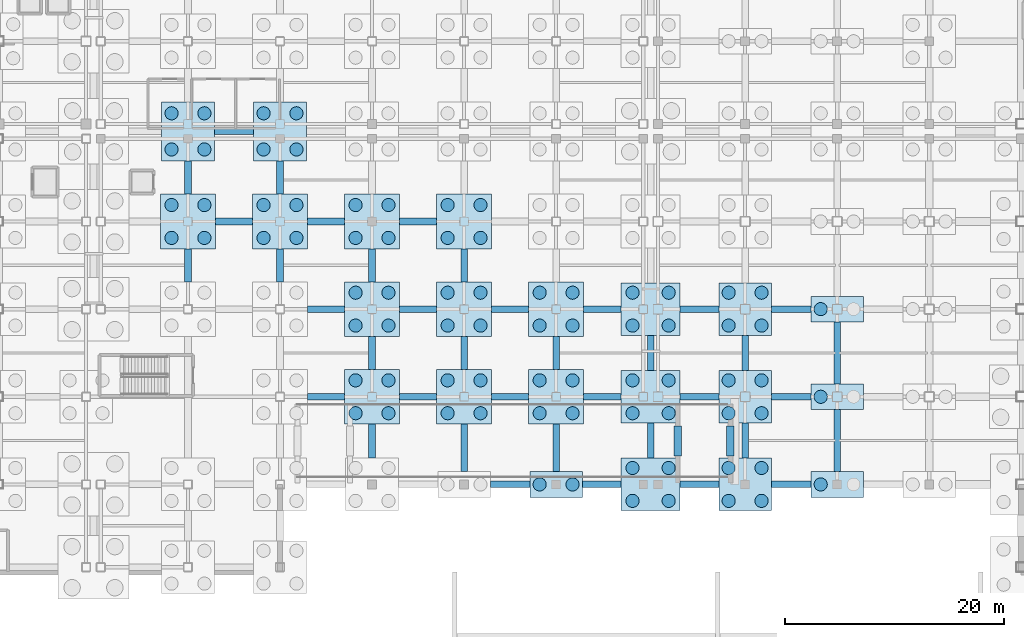
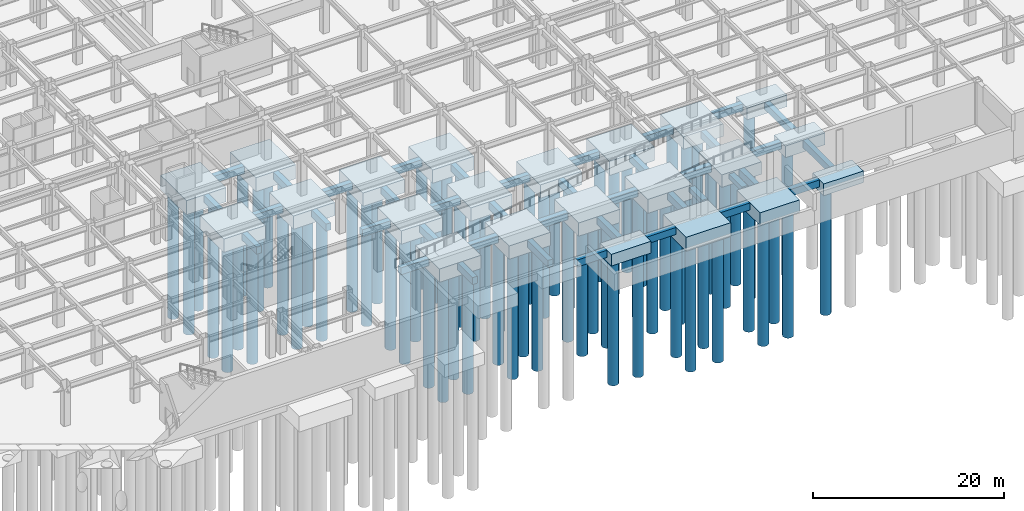
# One storey, part 4 of 55: 77 piles, 62 footings.
"""IFC4 building model written with IfcOpenShell, lengths in metres."""

import ifcopenshell
import ifcopenshell.guid

model = None  # the IFC model being written
_history = None  # IfcOwnerHistory: only IFC2X3 demands one
_inside = {}  # id of a spatial element -> (the spatial element, [elements in it])
_under = {}  # id of a project, library or spatial element -> (it, [spatial elements below it])
_declared = {}  # id of a project -> (the project, [libraries it declares])
_typed = {}  # id of a type object -> (the type object, [elements of that type])
_made_of = {}  # id of a material, layer set ... -> (it, [elements and type objects made of it])


def new_model(schema):
    """Start an empty IFC model of exactly this schema.

    Asked for "IFC4X3", IfcOpenShell would pick the latest addendum, in which some entities
    have other attributes; the version numbers below select the first issue.
    IFC2X3 requires an IfcOwnerHistory on every rooted entity: one is made here for all.
    """
    global model, _history
    if schema == "IFC4X3":
        model = ifcopenshell.file(schema_version=(4, 3, 0, 0))
    else:
        model = ifcopenshell.file(schema=schema)
    _inside.clear()
    _under.clear()
    _declared.clear()
    _typed.clear()
    _made_of.clear()
    _history = None
    if model.schema == "IFC2X3":
        org = make("IfcOrganization", Name="unknown")
        user = make(
            "IfcPersonAndOrganization",
            ThePerson=make("IfcPerson", FamilyName="unknown"),
            TheOrganization=org,
        )
        app = make(
            "IfcApplication",
            ApplicationDeveloper=org,
            Version="unknown",
            ApplicationFullName="unknown",
            ApplicationIdentifier="unknown",
        )
        _history = make(
            "IfcOwnerHistory",
            OwningUser=user,
            OwningApplication=app,
            ChangeAction="ADDED",
            CreationDate=0,
        )
    return model


def make(cls, **values):
    """One entity of the class cls with the attributes given. An attribute that is None is left unset."""
    return model.create_entity(
        cls, **{name: value for name, value in values.items() if value is not None}
    )


def rooted(cls, **values):
    """An entity with a GlobalId (a new one), such as an element, a storey or a relation."""
    return make(cls, GlobalId=ifcopenshell.guid.new(), OwnerHistory=_history, **values)


def si_unit(unit_type, name, prefix=None):
    """IfcSIUnit, for example si_unit("LENGTHUNIT", "METRE", prefix="MILLI")."""
    return make("IfcSIUnit", UnitType=unit_type, Prefix=prefix, Name=name)


def assignment(units):
    """IfcUnitAssignment: the units of a project."""
    return None if units is None else make("IfcUnitAssignment", Units=units)


def point(xyz):
    """IfcCartesianPoint."""
    return None if xyz is None else make("IfcCartesianPoint", Coordinates=xyz)


def direction(xyz):
    """IfcDirection."""
    return None if xyz is None else make("IfcDirection", DirectionRatios=xyz)


def frame(location, z_axis=None, x_axis=None):
    """IfcAxis2Placement3D, a coordinate frame: its origin and axes. An axis left out is left unset."""
    return make(
        "IfcAxis2Placement3D",
        Location=point(location),
        Axis=direction(z_axis),
        RefDirection=direction(x_axis),
    )


def frame_2d(location, x_axis=None):
    """IfcAxis2Placement2D, a coordinate frame in the plane: its origin and x axis."""
    return make(
        "IfcAxis2Placement2D", Location=point(location), RefDirection=direction(x_axis)
    )


def origin():
    """The frame at (0, 0, 0) with its axes left unset."""
    return frame((0.0, 0.0, 0.0))


def origin_2d():
    """The frame at (0, 0) in the plane with its x axis left unset."""
    return frame_2d((0.0, 0.0))


def place(relative_to, where):
    """IfcLocalPlacement: puts the frame where relative to a parent placement (None: the world)."""
    return make(
        "IfcLocalPlacement", PlacementRelTo=relative_to, RelativePlacement=where
    )


def context(
    kind, dimensions, precision=None, world=None, true_north=None, identifier=None
):
    """IfcGeometricRepresentationContext, for example the 3D "Model" context."""
    return make(
        "IfcGeometricRepresentationContext",
        ContextIdentifier=identifier,
        ContextType=kind,
        CoordinateSpaceDimension=dimensions,
        Precision=precision,
        WorldCoordinateSystem=world,
        TrueNorth=true_north,
    )


def subcontext(parent, identifier, kind, view, scale=None):
    """IfcGeometricRepresentationSubContext, for example "Body" below "Model"."""
    return make(
        "IfcGeometricRepresentationSubContext",
        ContextIdentifier=identifier,
        ContextType=kind,
        ParentContext=parent,
        TargetScale=scale,
        TargetView=view,
    )


def project(units=None, contexts=None):
    """IfcProject with its units and contexts."""
    return rooted(
        "IfcProject",
        Name="project",
        RepresentationContexts=contexts,
        UnitsInContext=assignment(units),
    )


def spatial(cls, under=None, at=None, **own):
    """A site, building, storey or space (cls), placed at a placement, below another one or the project."""
    s = rooted(cls, ObjectPlacement=at, **own)
    if under is not None:
        _under.setdefault(under.id(), (under, []))[1].append(s)
    return s


def polyline(points):
    """IfcPolyline through the points."""
    return make("IfcPolyline", Points=[point(p) for p in points])


def profile(cls, at=None, kind="AREA", **sizes):
    """A parametric profile (cls). Its sizes go by their IFC names, for example OverallWidth=200.0."""
    return make(cls, ProfileType=kind, Position=at, **sizes)


def rectangle(**sizes):
    """IfcRectangleProfileDef."""
    return profile("IfcRectangleProfileDef", **sizes)


def circle(**sizes):
    """IfcCircleProfileDef."""
    return profile("IfcCircleProfileDef", **sizes)


def outline(outer, holes=None, kind="AREA"):
    """IfcArbitraryClosedProfileDef: a profile drawn as a closed curve; with holes, ...WithVoids."""
    if holes is None:
        return make("IfcArbitraryClosedProfileDef", ProfileType=kind, OuterCurve=outer)
    return make(
        "IfcArbitraryProfileDefWithVoids",
        ProfileType=kind,
        OuterCurve=outer,
        InnerCurves=holes,
    )


def extrude(swept, where, along, depth):
    """IfcExtrudedAreaSolid: the profile swept, set in the frame where, extruded along a direction by depth."""
    return make(
        "IfcExtrudedAreaSolid",
        SweptArea=swept,
        Position=where,
        ExtrudedDirection=direction(along),
        Depth=depth,
    )


def shape(context_of_items, identifier, shape_type, items):
    """IfcShapeRepresentation: the items that make up one representation, for example the "Body"."""
    return make(
        "IfcShapeRepresentation",
        ContextOfItems=context_of_items,
        RepresentationIdentifier=identifier,
        RepresentationType=shape_type,
        Items=items,
    )


def material(Name=None, Category=None):
    """IfcMaterial."""
    return make("IfcMaterial", Name=Name, Category=Category)


def layer(
    of_material, thickness, ventilated=None, Name=None, Category=None, Priority=None
):
    """IfcMaterialLayer: one layer of a wall or slab, of a material (None: an air gap)."""
    return make(
        "IfcMaterialLayer",
        Material=of_material,
        LayerThickness=thickness,
        IsVentilated=ventilated,
        Name=Name,
        Category=Category,
        Priority=Priority,
    )


def layer_set(layers, Name=None):
    """IfcMaterialLayerSet."""
    return make("IfcMaterialLayerSet", MaterialLayers=layers, LayerSetName=Name)


def material_profile(
    of_material, cross_section, Name=None, Category=None, Priority=None
):
    """IfcMaterialProfile: a cross section and its material."""
    return make(
        "IfcMaterialProfile",
        Name=Name,
        Material=of_material,
        Profile=cross_section,
        Priority=Priority,
        Category=Category,
    )


def profile_set(profiles, Name=None, composite=None):
    """IfcMaterialProfileSet."""
    return make(
        "IfcMaterialProfileSet",
        Name=Name,
        MaterialProfiles=profiles,
        CompositeProfile=composite,
    )


def made_of(thing, what):
    """Note that an element or type object is made of a material, layer set ...; save() writes the relation."""
    if what is not None:
        _made_of.setdefault(what.id(), (what, []))[1].append(thing)
    return thing


def type_object(cls, material=None, **own):
    """A type object (cls), such as IfcWallType, which elements share."""
    return made_of(rooted(cls, **own), material)


def element(
    cls,
    number,
    at=None,
    inside=None,
    cuts=None,
    type_object=None,
    material=None,
    context=None,
    identifier="Body",
    shape_type=None,
    held_by="IfcProductDefinitionShape",
    body=None,
    shapes=None,
    **own,
):
    """One element of the class cls, such as IfcWall. Its Tag is "e" and its number.

    at: its placement. inside: the storey or other place that contains it. cuts: it is an
    opening in that element (IfcRelVoidsElement). A single representation is given by context,
    identifier, shape_type and body (its items); several are given by shapes. held_by: the class
    of the entity that holds the representations. save() writes the other relations.
    """
    e = rooted(cls, Tag="e%d" % number, ObjectPlacement=at, **own)
    if body is not None:
        shapes = [shape(context, identifier, shape_type, body)]
    if shapes is not None:
        e.Representation = make(held_by, Representations=shapes)
    if inside is not None:
        _inside.setdefault(inside.id(), (inside, []))[1].append(e)
    if cuts is not None:
        rooted(
            "IfcRelVoidsElement", RelatingBuildingElement=cuts, RelatedOpeningElement=e
        )
    if type_object is not None:
        _typed.setdefault(type_object.id(), (type_object, []))[1].append(e)
    return made_of(e, material)


def aggregate(whole, parts):
    """IfcRelAggregates: a whole, such as a stair, and the parts it consists of."""
    return rooted("IfcRelAggregates", RelatingObject=whole, RelatedObjects=parts)


def save(model, path):
    """Write the relations noted so far, then the file.

    IfcRelAggregates (storeys below a building ...), IfcRelContainedInSpatialStructure (elements
    in a storey), IfcRelDefinesByType, IfcRelAssociatesMaterial and IfcRelDeclares: one each for
    every whole, place, type object, material and project.
    """
    for whole, parts in _under.values():
        aggregate(whole, parts)
    for where, things in _inside.values():
        rooted(
            "IfcRelContainedInSpatialStructure",
            RelatedElements=things,
            RelatingStructure=where,
        )
    for kind, things in _typed.values():
        rooted("IfcRelDefinesByType", RelatedObjects=things, RelatingType=kind)
    for what, things in _made_of.values():
        rooted("IfcRelAssociatesMaterial", RelatedObjects=things, RelatingMaterial=what)
    for by, libraries in _declared.values():
        rooted("IfcRelDeclares", RelatingContext=by, RelatedDefinitions=libraries)
    model.write(path)


model = new_model("IFC4")

# Units and contexts
model_context = context("Model", 3, precision=1e-05, world=origin(), true_north=direction((0.0, 1.0)))
body_context = subcontext(model_context, "Body", "Model", "MODEL_VIEW")
ifc_project = project(units=[si_unit("LENGTHUNIT", "METRE"), si_unit("AREAUNIT", "SQUARE_METRE"), si_unit("VOLUMEUNIT", "CUBIC_METRE"), si_unit("PLANEANGLEUNIT", "RADIAN"), si_unit("MASSUNIT", "GRAM", prefix="KILO")], contexts=[model_context])

# Site, building, storey
site_placement = place(None, origin())
site = spatial("IfcSite", under=ifc_project, at=site_placement, CompositionType="ELEMENT")
building_placement = place(site_placement, origin())
building = spatial("IfcBuilding", under=site, at=building_placement, Name="Kazehara Bluff Congress Hotel", CompositionType="ELEMENT")
storey_placement = place(building_placement, frame((0.0, 0.0, -5.39990234375)))
storey = spatial("IfcBuildingStorey", under=building, at=storey_placement, Name="B1", CompositionType="ELEMENT", Elevation=-5.39990234375)

# Footings
ifc_material_1 = material(Name="Concrete C36/45", Category="concrete")
ifc_material_profile_1 = material_profile(ifc_material_1, rectangle(XDim=0.60009765625, YDim=0.89990234375, at=origin_2d()))
ifc_profile_set_1 = profile_set([ifc_material_profile_1], Name="Concrete C36/45")
footing_type_1 = type_object("IfcFootingType", Name="TP-FB-01", PredefinedType="FOOTING_BEAM", material=ifc_profile_set_1)
footing_1_placement = place(storey_placement, frame((95.25, 8.0, -0.9501953125), z_axis=(1.0, 0.0, 0.0), x_axis=(0.0, 1.0, 0.0)))
element("IfcFooting", 1, at=footing_1_placement, inside=storey, type_object=footing_type_1, Name="Foundation tie beam FB-01 19", PredefinedType="FOOTING_BEAM", context=body_context, shape_type="SweptSolid", body=[
    extrude(rectangle(XDim=0.60009765625, YDim=0.89990234375, at=origin_2d()), origin(), (0.0, 0.0, 1.0), 3.60009765625),
])
for number, where, z_axis, x_axis, name in (
    (2, (103.64990234375, 8.0, -0.9501953125), (1.0, 0.0, 0.0), (0.0, 1.0, 0.0), "Foundation tie beam FB-01 20"),
    (3, (112.574951171875, 8.0, -0.9501953125), (1.0, 0.0, 0.0), (0.0, 1.0, 0.0), "Foundation tie beam FB-01 21"),
):
    element("IfcFooting", number, at=place(storey_placement, frame(where, z_axis=z_axis, x_axis=x_axis)), inside=storey, type_object=footing_type_1, Name=name, PredefinedType="FOOTING_BEAM", context=body_context, shape_type="SweptSolid", body=[
        extrude(rectangle(XDim=0.60009765625, YDim=0.89990234375, at=origin_2d()), origin(), (0.0, 0.0, 1.0), 3.525146484375),
    ])
footing_2_placement = place(storey_placement, frame((120.89990234375, 8.0, -0.9501953125), z_axis=(1.0, 0.0, 0.0), x_axis=(0.0, 1.0, 0.0)))
element("IfcFooting", 4, at=footing_2_placement, inside=storey, type_object=footing_type_1, Name="Foundation tie beam FB-01 22", PredefinedType="FOOTING_BEAM", context=body_context, shape_type="SweptSolid", body=[
    extrude(rectangle(XDim=0.60009765625, YDim=0.89990234375, at=origin_2d()), origin(), (0.0, 0.0, 1.0), 3.60009765625),
])
footing_3_placement = place(storey_placement, frame((78.550048828125, 16.0, -0.9501953125), z_axis=(1.0, 0.0, 0.0), x_axis=(0.0, 1.0, 0.0)))
element("IfcFooting", 5, at=footing_3_placement, inside=storey, type_object=footing_type_1, Name="Foundation tie beam FB-01 34", PredefinedType="FOOTING_BEAM", context=body_context, shape_type="SweptSolid", body=[
    extrude(rectangle(XDim=0.60009765625, YDim=0.89990234375, at=origin_2d()), origin(), (0.0, 0.0, 1.0), 3.39990234375),
])
footing_4_placement = place(storey_placement, frame((86.949951171875, 16.0, -0.9501953125), z_axis=(1.0, 0.0, 0.0), x_axis=(0.0, 1.0, 0.0)))
element("IfcFooting", 6, at=footing_4_placement, inside=storey, type_object=footing_type_1, Name="Foundation tie beam FB-01 35", PredefinedType="FOOTING_BEAM", context=body_context, shape_type="SweptSolid", body=[
    extrude(rectangle(XDim=0.60009765625, YDim=0.89990234375, at=origin_2d()), origin(), (0.0, 0.0, 1.0), 3.400146484375),
])
footing_5_placement = place(storey_placement, frame((95.35009765625, 16.0, -0.9501953125), z_axis=(1.0, 0.0, 0.0), x_axis=(0.0, 1.0, 0.0)))
element("IfcFooting", 7, at=footing_5_placement, inside=storey, type_object=footing_type_1, Name="Foundation tie beam FB-01 36", PredefinedType="FOOTING_BEAM", context=body_context, shape_type="SweptSolid", body=[
    extrude(rectangle(XDim=0.60009765625, YDim=0.89990234375, at=origin_2d()), origin(), (0.0, 0.0, 1.0), 3.39990234375),
])
footing_6_placement = place(storey_placement, frame((103.75, 16.0, -0.9501953125), z_axis=(1.0, 0.0, 0.0), x_axis=(0.0, 1.0, 0.0)))
element("IfcFooting", 8, at=footing_6_placement, inside=storey, type_object=footing_type_1, Name="Foundation tie beam FB-01 37", PredefinedType="FOOTING_BEAM", context=body_context, shape_type="SweptSolid", body=[
    extrude(rectangle(XDim=0.60009765625, YDim=0.89990234375, at=origin_2d()), origin(), (0.0, 0.0, 1.0), 3.425048828125),
])
footing_7_placement = place(storey_placement, frame((112.574951171875, 16.0, -0.9501953125), z_axis=(1.0, 0.0, 0.0), x_axis=(0.0, 1.0, 0.0)))
element("IfcFooting", 9, at=footing_7_placement, inside=storey, type_object=footing_type_1, Name="Foundation tie beam FB-01 38", PredefinedType="FOOTING_BEAM", context=body_context, shape_type="SweptSolid", body=[
    extrude(rectangle(XDim=0.60009765625, YDim=0.89990234375, at=origin_2d()), origin(), (0.0, 0.0, 1.0), 3.525146484375),
])
footing_8_placement = place(storey_placement, frame((120.89990234375, 16.0, -0.9501953125), z_axis=(1.0, 0.0, 0.0), x_axis=(0.0, 1.0, 0.0)))
element("IfcFooting", 10, at=footing_8_placement, inside=storey, type_object=footing_type_1, Name="Foundation tie beam FB-01 39", PredefinedType="FOOTING_BEAM", context=body_context, shape_type="SweptSolid", body=[
    extrude(rectangle(XDim=0.60009765625, YDim=0.89990234375, at=origin_2d()), origin(), (0.0, 0.0, 1.0), 3.60009765625),
])
footing_9_placement = place(storey_placement, frame((78.550048828125, 24.0, -0.9501953125), z_axis=(1.0, 0.0, 0.0), x_axis=(0.0, 1.0, 0.0)))
element("IfcFooting", 11, at=footing_9_placement, inside=storey, type_object=footing_type_1, Name="Foundation tie beam FB-01 53", PredefinedType="FOOTING_BEAM", context=body_context, shape_type="SweptSolid", body=[
    extrude(rectangle(XDim=0.60009765625, YDim=0.89990234375, at=origin_2d()), origin(), (0.0, 0.0, 1.0), 3.39990234375),
])
footing_10_placement = place(storey_placement, frame((86.949951171875, 24.0, -0.9501953125), z_axis=(1.0, 0.0, 0.0), x_axis=(0.0, 1.0, 0.0)))
element("IfcFooting", 12, at=footing_10_placement, inside=storey, type_object=footing_type_1, Name="Foundation tie beam FB-01 54", PredefinedType="FOOTING_BEAM", context=body_context, shape_type="SweptSolid", body=[
    extrude(rectangle(XDim=0.60009765625, YDim=0.89990234375, at=origin_2d()), origin(), (0.0, 0.0, 1.0), 3.400146484375),
])
footing_11_placement = place(storey_placement, frame((95.35009765625, 24.0, -0.9501953125), z_axis=(1.0, 0.0, 0.0), x_axis=(0.0, 1.0, 0.0)))
element("IfcFooting", 13, at=footing_11_placement, inside=storey, type_object=footing_type_1, Name="Foundation tie beam FB-01 55", PredefinedType="FOOTING_BEAM", context=body_context, shape_type="SweptSolid", body=[
    extrude(rectangle(XDim=0.60009765625, YDim=0.89990234375, at=origin_2d()), origin(), (0.0, 0.0, 1.0), 3.39990234375),
])
footing_12_placement = place(storey_placement, frame((103.75, 24.0, -0.9501953125), z_axis=(1.0, 0.0, 0.0), x_axis=(0.0, 1.0, 0.0)))
element("IfcFooting", 14, at=footing_12_placement, inside=storey, type_object=footing_type_1, Name="Foundation tie beam FB-01 56", PredefinedType="FOOTING_BEAM", context=body_context, shape_type="SweptSolid", body=[
    extrude(rectangle(XDim=0.60009765625, YDim=0.89990234375, at=origin_2d()), origin(), (0.0, 0.0, 1.0), 3.425048828125),
])
footing_13_placement = place(storey_placement, frame((112.574951171875, 24.0, -0.9501953125), z_axis=(1.0, 0.0, 0.0), x_axis=(0.0, 1.0, 0.0)))
element("IfcFooting", 15, at=footing_13_placement, inside=storey, type_object=footing_type_1, Name="Foundation tie beam FB-01 57", PredefinedType="FOOTING_BEAM", context=body_context, shape_type="SweptSolid", body=[
    extrude(rectangle(XDim=0.60009765625, YDim=0.89990234375, at=origin_2d()), origin(), (0.0, 0.0, 1.0), 3.525146484375),
])
footing_14_placement = place(storey_placement, frame((120.89990234375, 24.0, -0.9501953125), z_axis=(1.0, 0.0, 0.0), x_axis=(0.0, 1.0, 0.0)))
element("IfcFooting", 16, at=footing_14_placement, inside=storey, type_object=footing_type_1, Name="Foundation tie beam FB-01 58", PredefinedType="FOOTING_BEAM", context=body_context, shape_type="SweptSolid", body=[
    extrude(rectangle(XDim=0.60009765625, YDim=0.89990234375, at=origin_2d()), origin(), (0.0, 0.0, 1.0), 3.60009765625),
])
footing_15_placement = place(storey_placement, frame((70.14990234375, 32.0, -0.9501953125), z_axis=(1.0, 0.0, 0.0), x_axis=(0.0, 1.0, 0.0)))
element("IfcFooting", 17, at=footing_15_placement, inside=storey, type_object=footing_type_1, Name="Foundation tie beam FB-01 71", PredefinedType="FOOTING_BEAM", context=body_context, shape_type="SweptSolid", body=[
    extrude(rectangle(XDim=0.60009765625, YDim=0.89990234375, at=origin_2d()), origin(), (0.0, 0.0, 1.0), 3.400146484375),
])
footing_16_placement = place(storey_placement, frame((78.550048828125, 32.0, -0.9501953125), z_axis=(1.0, 0.0, 0.0), x_axis=(0.0, 1.0, 0.0)))
element("IfcFooting", 18, at=footing_16_placement, inside=storey, type_object=footing_type_1, Name="Foundation tie beam FB-01 72", PredefinedType="FOOTING_BEAM", context=body_context, shape_type="SweptSolid", body=[
    extrude(rectangle(XDim=0.60009765625, YDim=0.89990234375, at=origin_2d()), origin(), (0.0, 0.0, 1.0), 3.39990234375),
])
footing_17_placement = place(storey_placement, frame((86.949951171875, 32.0, -0.9501953125), z_axis=(1.0, 0.0, 0.0), x_axis=(0.0, 1.0, 0.0)))
element("IfcFooting", 19, at=footing_17_placement, inside=storey, type_object=footing_type_1, Name="Foundation tie beam FB-01 73", PredefinedType="FOOTING_BEAM", context=body_context, shape_type="SweptSolid", body=[
    extrude(rectangle(XDim=0.60009765625, YDim=0.89990234375, at=origin_2d()), origin(), (0.0, 0.0, 1.0), 3.400146484375),
])
footing_18_placement = place(storey_placement, frame((70.050048828125, 40.22509765625, -0.9501953125), z_axis=(1.0, 0.0, 0.0), x_axis=(0.0, 1.0, 0.0)))
element("IfcFooting", 20, at=footing_18_placement, inside=storey, type_object=footing_type_1, Name="Foundation tie beam FB-01 89", PredefinedType="FOOTING_BEAM", context=body_context, shape_type="SweptSolid", body=[
    extrude(rectangle(XDim=0.60009765625, YDim=0.89990234375, at=origin_2d()), origin(), (0.0, 0.0, 1.0), 3.599853515625),
])
footing_19_placement = place(storey_placement, frame((67.64990234375, 26.5, -0.9501953125), z_axis=(0.0, 1.0, 0.0), x_axis=(-1.0, 0.0, 0.0)))
element("IfcFooting", 21, at=footing_19_placement, inside=storey, type_object=footing_type_1, Name="Foundation tie beam FB-01 340", PredefinedType="FOOTING_BEAM", context=body_context, shape_type="SweptSolid", body=[
    extrude(rectangle(XDim=0.60009765625, YDim=0.89990234375, at=origin_2d()), origin(), (0.0, 0.0, 1.0), 3.0),
])
footing_20_placement = place(storey_placement, frame((67.64990234375, 34.5, -0.9501953125), z_axis=(0.0, 1.0, 0.0), x_axis=(-1.0, 0.0, 0.0)))
element("IfcFooting", 22, at=footing_20_placement, inside=storey, type_object=footing_type_1, Name="Foundation tie beam FB-01 341", PredefinedType="FOOTING_BEAM", context=body_context, shape_type="SweptSolid", body=[
    extrude(rectangle(XDim=0.60009765625, YDim=0.89990234375, at=origin_2d()), origin(), (0.0, 0.0, 1.0), 3.02490234375),
])
footing_21_placement = place(storey_placement, frame((76.050048828125, 26.5, -0.9501953125), z_axis=(0.0, 1.0, 0.0), x_axis=(-1.0, 0.0, 0.0)))
element("IfcFooting", 23, at=footing_21_placement, inside=storey, type_object=footing_type_1, Name="Foundation tie beam FB-01 354", PredefinedType="FOOTING_BEAM", context=body_context, shape_type="SweptSolid", body=[
    extrude(rectangle(XDim=0.60009765625, YDim=0.89990234375, at=origin_2d()), origin(), (0.0, 0.0, 1.0), 3.0),
])
footing_22_placement = place(storey_placement, frame((76.050048828125, 34.5, -0.9501953125), z_axis=(0.0, 1.0, 0.0), x_axis=(-1.0, 0.0, 0.0)))
element("IfcFooting", 24, at=footing_22_placement, inside=storey, type_object=footing_type_1, Name="Foundation tie beam FB-01 355", PredefinedType="FOOTING_BEAM", context=body_context, shape_type="SweptSolid", body=[
    extrude(rectangle(XDim=0.60009765625, YDim=0.89990234375, at=origin_2d()), origin(), (0.0, 0.0, 1.0), 3.02490234375),
])
footing_23_placement = place(storey_placement, frame((84.449951171875, 10.39990234375, -0.9501953125), z_axis=(0.0, 1.0, 0.0), x_axis=(-1.0, 0.0, 0.0)))
element("IfcFooting", 25, at=footing_23_placement, inside=storey, type_object=footing_type_1, Name="Foundation tie beam FB-01 365", PredefinedType="FOOTING_BEAM", context=body_context, shape_type="SweptSolid", body=[
    extrude(rectangle(XDim=0.60009765625, YDim=0.89990234375, at=origin_2d()), origin(), (0.0, 0.0, 1.0), 3.10009765625),
])
for number, where, z_axis, x_axis, name in (
    (26, (84.449951171875, 18.5, -0.9501953125), (0.0, 1.0, 0.0), (-1.0, 0.0, 0.0), "Foundation tie beam FB-01 366"),
    (27, (84.449951171875, 26.5, -0.9501953125), (0.0, 1.0, 0.0), (-1.0, 0.0, 0.0), "Foundation tie beam FB-01 367"),
):
    element("IfcFooting", number, at=place(storey_placement, frame(where, z_axis=z_axis, x_axis=x_axis)), inside=storey, type_object=footing_type_1, Name=name, PredefinedType="FOOTING_BEAM", context=body_context, shape_type="SweptSolid", body=[
        extrude(rectangle(XDim=0.60009765625, YDim=0.89990234375, at=origin_2d()), origin(), (0.0, 0.0, 1.0), 3.0),
    ])
footing_24_placement = place(storey_placement, frame((92.85009765625, 9.175048828125, -0.9501953125), z_axis=(0.0, 1.0, 0.0), x_axis=(-1.0, 0.0, 0.0)))
element("IfcFooting", 28, at=footing_24_placement, inside=storey, type_object=footing_type_1, Name="Foundation tie beam FB-01 376", PredefinedType="FOOTING_BEAM", context=body_context, shape_type="SweptSolid", body=[
    extrude(rectangle(XDim=0.60009765625, YDim=0.89990234375, at=origin_2d()), origin(), (0.0, 0.0, 1.0), 4.324951171875),
])
for number, where, z_axis, x_axis, name in (
    (29, (92.85009765625, 18.5, -0.9501953125), (0.0, 1.0, 0.0), (-1.0, 0.0, 0.0), "Foundation tie beam FB-01 377"),
    (30, (92.85009765625, 26.5, -0.9501953125), (0.0, 1.0, 0.0), (-1.0, 0.0, 0.0), "Foundation tie beam FB-01 378"),
):
    element("IfcFooting", number, at=place(storey_placement, frame(where, z_axis=z_axis, x_axis=x_axis)), inside=storey, type_object=footing_type_1, Name=name, PredefinedType="FOOTING_BEAM", context=body_context, shape_type="SweptSolid", body=[
        extrude(rectangle(XDim=0.60009765625, YDim=0.89990234375, at=origin_2d()), origin(), (0.0, 0.0, 1.0), 3.0),
    ])
footing_25_placement = place(storey_placement, frame((101.25, 9.175048828125, -0.9501953125), z_axis=(0.0, 1.0, 0.0), x_axis=(-1.0, 0.0, 0.0)))
element("IfcFooting", 31, at=footing_25_placement, inside=storey, type_object=footing_type_1, Name="Foundation tie beam FB-01 389", PredefinedType="FOOTING_BEAM", context=body_context, shape_type="SweptSolid", body=[
    extrude(rectangle(XDim=0.60009765625, YDim=0.89990234375, at=origin_2d()), origin(), (0.0, 0.0, 1.0), 4.324951171875),
])
footing_26_placement = place(storey_placement, frame((101.25, 18.5, -0.9501953125), z_axis=(0.0, 1.0, 0.0), x_axis=(-1.0, 0.0, 0.0)))
element("IfcFooting", 32, at=footing_26_placement, inside=storey, type_object=footing_type_1, Name="Foundation tie beam FB-01 390", PredefinedType="FOOTING_BEAM", context=body_context, shape_type="SweptSolid", body=[
    extrude(rectangle(XDim=0.60009765625, YDim=0.89990234375, at=origin_2d()), origin(), (0.0, 0.0, 1.0), 3.0),
])
for number, where, z_axis, x_axis, name in (
    (33, (109.875, 10.39990234375, -0.9501953125), (0.0, 1.0, 0.0), (-1.0, 0.0, 0.0), "Foundation tie beam FB-01 403"),
    (34, (109.875, 18.39990234375, -0.9501953125), (0.0, 1.0, 0.0), (-1.0, 0.0, 0.0), "Foundation tie beam FB-01 404"),
    (35, (118.5, 10.39990234375, -0.9501953125), (0.0, 1.0, 0.0), (-1.0, 0.0, 0.0), "Foundation tie beam FB-01 414"),
    (36, (118.5, 18.39990234375, -0.9501953125), (0.0, 1.0, 0.0), (-1.0, 0.0, 0.0), "Foundation tie beam FB-01 415"),
):
    element("IfcFooting", number, at=place(storey_placement, frame(where, z_axis=z_axis, x_axis=x_axis)), inside=storey, type_object=footing_type_1, Name=name, PredefinedType="FOOTING_BEAM", context=body_context, shape_type="SweptSolid", body=[
        extrude(rectangle(XDim=0.60009765625, YDim=0.89990234375, at=origin_2d()), origin(), (0.0, 0.0, 1.0), 3.2001953125),
    ])
for number, where, z_axis, x_axis, name in (
    (37, (126.89990234375, 9.175048828125, -0.9501953125), (0.0, 1.0, 0.0), (-1.0, 0.0, 0.0), "Foundation tie beam FB-01 425"),
    (38, (126.89990234375, 17.175048828125, -0.9501953125), (0.0, 1.0, 0.0), (-1.0, 0.0, 0.0), "Foundation tie beam FB-01 426"),
):
    element("IfcFooting", number, at=place(storey_placement, frame(where, z_axis=z_axis, x_axis=x_axis)), inside=storey, type_object=footing_type_1, Name=name, PredefinedType="FOOTING_BEAM", context=body_context, shape_type="SweptSolid", body=[
        extrude(rectangle(XDim=0.60009765625, YDim=0.89990234375, at=origin_2d()), origin(), (0.0, 0.0, 1.0), 5.64990234375),
    ])
ifc_material_2 = material(Name="Concrete C36/45", Category="concrete")
ifc_layer_1 = layer(ifc_material_2, 1.5)
ifc_layer_set_1 = layer_set([ifc_layer_1], Name="Concrete C36/45")
footing_type_2 = type_object("IfcFootingType", Name="TP-PC-02", PredefinedType="PILE_CAP", material=ifc_layer_set_1)
for number, where, z_axis, x_axis, name in (
    (39, (101.25, 8.0, -2.0), (0.0, 0.0, 1.0), (1.0, 0.0, 0.0), "Pile cap PC-02 171"),
    (40, (126.89990234375, 8.0, -2.0), (0.0, 0.0, 1.0), (1.0, 0.0, 0.0), "Pile cap PC-02 210"),
    (41, (126.89990234375, 16.0, -2.0), (0.0, 0.0, 1.0), (1.0, 0.0, 0.0), "Pile cap PC-02 211"),
    (42, (126.89990234375, 24.0, -2.0), (0.0, 0.0, 1.0), (1.0, 0.0, 0.0), "Pile cap PC-02 212"),
):
    element("IfcFooting", number, at=place(storey_placement, frame(where, z_axis=z_axis, x_axis=x_axis)), inside=storey, type_object=footing_type_2, Name=name, PredefinedType="PILE_CAP", context=body_context, shape_type="SweptSolid", body=[
        extrude(rectangle(XDim=4.800048828125, YDim=2.35009765625, at=origin_2d()), origin(), (0.0, 0.0, 1.0), 1.5),
    ])
ifc_material_3 = material(Name="Concrete C36/45", Category="concrete")
ifc_layer_2 = layer(ifc_material_3, 1.60009765625)
ifc_layer_set_2 = layer_set([ifc_layer_2], Name="Concrete C36/45")
footing_type_3 = type_object("IfcFootingType", Name="TP-PC-04", PredefinedType="PILE_CAP", material=ifc_layer_set_2)
for number, where, z_axis, x_axis, name in (
    (43, (118.5, 8.0, -2.10009765625), (0.0, 0.0, 1.0), (1.0, 0.0, 0.0), "Pile cap PC-04 198"),
    (44, (118.5, 16.0, -2.10009765625), (0.0, 0.0, 1.0), (1.0, 0.0, 0.0), "Pile cap PC-04 199"),
    (45, (118.5, 24.0, -2.10009765625), (0.0, 0.0, 1.0), (1.0, 0.0, 0.0), "Pile cap PC-04 200"),
):
    element("IfcFooting", number, at=place(storey_placement, frame(where, z_axis=z_axis, x_axis=x_axis)), inside=storey, type_object=footing_type_3, Name=name, PredefinedType="PILE_CAP", context=body_context, shape_type="SweptSolid", body=[
        extrude(rectangle(XDim=4.800048828125, YDim=4.800048828125, at=origin_2d()), origin(), (0.0, 0.0, 1.0), 1.60009765625),
    ])
ifc_material_4 = material(Name="Concrete C36/45", Category="concrete")
ifc_layer_3 = layer(ifc_material_4, 1.699951171875)
ifc_layer_set_3 = layer_set([ifc_layer_3], Name="Concrete C36/45")
footing_type_4 = type_object("IfcFootingType", Name="TP-PC-05", PredefinedType="PILE_CAP", material=ifc_layer_set_3)
for number, where, z_axis, x_axis, name in (
    (46, (67.64990234375, 32.0, -2.2001953125), (0.0, 0.0, 1.0), (1.0, 0.0, 0.0), "Pile cap PC-05 118"),
    (47, (76.050048828125, 32.0, -2.2001953125), (0.0, 0.0, 1.0), (1.0, 0.0, 0.0), "Pile cap PC-05 133"),
    (48, (84.449951171875, 16.0, -2.2001953125), (0.0, 0.0, 1.0), (1.0, 0.0, 0.0), "Pile cap PC-05 145"),
    (49, (84.449951171875, 24.0, -2.2001953125), (0.0, 0.0, 1.0), (1.0, 0.0, 0.0), "Pile cap PC-05 146"),
    (50, (84.449951171875, 32.0, -2.2001953125), (0.0, 0.0, 1.0), (1.0, 0.0, 0.0), "Pile cap PC-05 147"),
    (51, (92.85009765625, 16.0, -2.2001953125), (0.0, 0.0, 1.0), (1.0, 0.0, 0.0), "Pile cap PC-05 158"),
    (52, (92.85009765625, 24.0, -2.2001953125), (0.0, 0.0, 1.0), (1.0, 0.0, 0.0), "Pile cap PC-05 159"),
    (53, (92.85009765625, 32.0, -2.2001953125), (0.0, 0.0, 1.0), (1.0, 0.0, 0.0), "Pile cap PC-05 160"),
    (54, (101.25, 16.0, -2.2001953125), (0.0, 0.0, 1.0), (1.0, 0.0, 0.0), "Pile cap PC-05 172"),
    (55, (101.25, 24.0, -2.2001953125), (0.0, 0.0, 1.0), (1.0, 0.0, 0.0), "Pile cap PC-05 173"),
):
    element("IfcFooting", number, at=place(storey_placement, frame(where, z_axis=z_axis, x_axis=x_axis)), inside=storey, type_object=footing_type_4, Name=name, PredefinedType="PILE_CAP", context=body_context, shape_type="SweptSolid", body=[
        extrude(rectangle(XDim=5.0, YDim=5.0, at=origin_2d()), origin(), (0.0, 0.0, 1.0), 1.699951171875),
    ])
ifc_material_5 = material(Name="Concrete C36/45", Category="concrete")
ifc_layer_4 = layer(ifc_material_5, 1.800048828125)
ifc_layer_set_4 = layer_set([ifc_layer_4], Name="Concrete C36/45")
footing_type_5 = type_object("IfcFootingType", Name="TP-PC-07", PredefinedType="PILE_CAP", material=ifc_layer_set_4)
for number, where, z_axis, x_axis, name in (
    (56, (109.875, 8.0, -2.30029296875), (0.0, 0.0, 1.0), (1.0, 0.0, 0.0), "Pile cap PC-07 186"),
    (57, (109.875, 16.0, -2.30029296875), (0.0, 0.0, 1.0), (1.0, 0.0, 0.0), "Pile cap PC-07 187"),
    (58, (109.875, 24.0, -2.30029296875), (0.0, 0.0, 1.0), (1.0, 0.0, 0.0), "Pile cap PC-07 188"),
):
    element("IfcFooting", number, at=place(storey_placement, frame(where, z_axis=z_axis, x_axis=x_axis)), inside=storey, type_object=footing_type_5, Name=name, PredefinedType="PILE_CAP", context=body_context, shape_type="SweptSolid", body=[
        extrude(rectangle(XDim=5.39990234375, YDim=4.800048828125, at=origin_2d()), origin(), (0.0, 0.0, 1.0), 1.800048828125),
    ])
ifc_material_6 = material(Name="Concrete C36/45", Category="concrete")
ifc_layer_5 = layer(ifc_material_6, 1.800048828125)
ifc_layer_set_5 = layer_set([ifc_layer_5], Name="Concrete C36/45")
footing_type_6 = type_object("IfcFootingType", Name="TP-PC-08", PredefinedType="PILE_CAP", material=ifc_layer_set_5)
for number, where, z_axis, x_axis, name in (
    (59, (67.64990234375, 40.22509765625, -2.30029296875), (0.0, 0.0, 1.0), (1.0, 0.0, 0.0), "Pile cap PC-08 119"),
    (60, (76.050048828125, 40.22509765625, -2.30029296875), (0.0, 0.0, 1.0), (1.0, 0.0, 0.0), "Pile cap PC-08 134"),
):
    element("IfcFooting", number, at=place(storey_placement, frame(where, z_axis=z_axis, x_axis=x_axis)), inside=storey, type_object=footing_type_6, Name=name, PredefinedType="PILE_CAP", context=body_context, shape_type="SweptSolid", body=[
        extrude(rectangle(XDim=4.800048828125, YDim=5.39990234375, at=origin_2d()), origin(), (0.0, 0.0, 1.0), 1.800048828125),
    ])

# Piles
ifc_material_7 = material(Name="Concrete C36/45", Category="concrete")
ifc_material_profile_2 = material_profile(ifc_material_7, circle(Radius=0.60009765625, at=origin_2d()))
ifc_profile_set_2 = profile_set([ifc_material_profile_2], Name="Concrete C36/45")
pile_type = type_object("IfcPileType", Name="TP-PILE-1200", PredefinedType="BORED", material=ifc_profile_set_2)
for number, where, z_axis, x_axis, name in (
    (61, (66.14990234375, 30.5, -2.10009765625), (0.0, 0.0, -1.0), (1.0, 0.0, 0.0), "Bored pile FND-PC-118-P1"),
    (62, (69.14990234375, 30.5, -2.10009765625), (0.0, 0.0, -1.0), (1.0, 0.0, 0.0), "Bored pile FND-PC-118-P2"),
    (63, (66.14990234375, 33.5, -2.10009765625), (0.0, 0.0, -1.0), (1.0, 0.0, 0.0), "Bored pile FND-PC-118-P3"),
    (64, (69.14990234375, 33.5, -2.10009765625), (0.0, 0.0, -1.0), (1.0, 0.0, 0.0), "Bored pile FND-PC-118-P4"),
    (65, (66.14990234375, 38.574951171875, -2.2001953125), (0.0, 0.0, -1.0), (1.0, 0.0, 0.0), "Bored pile FND-PC-119-P1"),
    (66, (69.14990234375, 38.574951171875, -2.2001953125), (0.0, 0.0, -1.0), (1.0, 0.0, 0.0), "Bored pile FND-PC-119-P2"),
    (67, (66.14990234375, 41.875, -2.2001953125), (0.0, 0.0, -1.0), (1.0, 0.0, 0.0), "Bored pile FND-PC-119-P3"),
    (68, (69.14990234375, 41.875, -2.2001953125), (0.0, 0.0, -1.0), (1.0, 0.0, 0.0), "Bored pile FND-PC-119-P4"),
    (69, (74.550048828125, 30.5, -2.10009765625), (0.0, 0.0, -1.0), (1.0, 0.0, 0.0), "Bored pile FND-PC-133-P1"),
    (70, (77.550048828125, 30.5, -2.10009765625), (0.0, 0.0, -1.0), (1.0, 0.0, 0.0), "Bored pile FND-PC-133-P2"),
    (71, (74.550048828125, 33.5, -2.10009765625), (0.0, 0.0, -1.0), (1.0, 0.0, 0.0), "Bored pile FND-PC-133-P3"),
    (72, (77.550048828125, 33.5, -2.10009765625), (0.0, 0.0, -1.0), (1.0, 0.0, 0.0), "Bored pile FND-PC-133-P4"),
    (73, (74.550048828125, 38.574951171875, -2.2001953125), (0.0, 0.0, -1.0), (1.0, 0.0, 0.0), "Bored pile FND-PC-134-P1"),
    (74, (77.550048828125, 38.574951171875, -2.2001953125), (0.0, 0.0, -1.0), (1.0, 0.0, 0.0), "Bored pile FND-PC-134-P2"),
    (75, (74.550048828125, 41.875, -2.2001953125), (0.0, 0.0, -1.0), (1.0, 0.0, 0.0), "Bored pile FND-PC-134-P3"),
    (76, (77.550048828125, 41.875, -2.2001953125), (0.0, 0.0, -1.0), (1.0, 0.0, 0.0), "Bored pile FND-PC-134-P4"),
    (77, (82.949951171875, 14.5, -2.10009765625), (0.0, 0.0, -1.0), (1.0, 0.0, 0.0), "Bored pile FND-PC-145-P1"),
    (78, (85.949951171875, 14.5, -2.10009765625), (0.0, 0.0, -1.0), (1.0, 0.0, 0.0), "Bored pile FND-PC-145-P2"),
    (79, (82.949951171875, 17.5, -2.10009765625), (0.0, 0.0, -1.0), (1.0, 0.0, 0.0), "Bored pile FND-PC-145-P3"),
    (80, (85.949951171875, 17.5, -2.10009765625), (0.0, 0.0, -1.0), (1.0, 0.0, 0.0), "Bored pile FND-PC-145-P4"),
    (81, (82.949951171875, 22.5, -2.10009765625), (0.0, 0.0, -1.0), (1.0, 0.0, 0.0), "Bored pile FND-PC-146-P1"),
    (82, (85.949951171875, 22.5, -2.10009765625), (0.0, 0.0, -1.0), (1.0, 0.0, 0.0), "Bored pile FND-PC-146-P2"),
    (83, (82.949951171875, 25.5, -2.10009765625), (0.0, 0.0, -1.0), (1.0, 0.0, 0.0), "Bored pile FND-PC-146-P3"),
    (84, (85.949951171875, 25.5, -2.10009765625), (0.0, 0.0, -1.0), (1.0, 0.0, 0.0), "Bored pile FND-PC-146-P4"),
    (85, (82.949951171875, 30.5, -2.10009765625), (0.0, 0.0, -1.0), (1.0, 0.0, 0.0), "Bored pile FND-PC-147-P1"),
    (86, (85.949951171875, 30.5, -2.10009765625), (0.0, 0.0, -1.0), (1.0, 0.0, 0.0), "Bored pile FND-PC-147-P2"),
    (87, (82.949951171875, 33.5, -2.10009765625), (0.0, 0.0, -1.0), (1.0, 0.0, 0.0), "Bored pile FND-PC-147-P3"),
    (88, (85.949951171875, 33.5, -2.10009765625), (0.0, 0.0, -1.0), (1.0, 0.0, 0.0), "Bored pile FND-PC-147-P4"),
    (89, (91.35009765625, 14.5, -2.10009765625), (0.0, 0.0, -1.0), (1.0, 0.0, 0.0), "Bored pile FND-PC-158-P1"),
    (90, (94.35009765625, 14.5, -2.10009765625), (0.0, 0.0, -1.0), (1.0, 0.0, 0.0), "Bored pile FND-PC-158-P2"),
    (91, (91.35009765625, 17.5, -2.10009765625), (0.0, 0.0, -1.0), (1.0, 0.0, 0.0), "Bored pile FND-PC-158-P3"),
    (92, (94.35009765625, 17.5, -2.10009765625), (0.0, 0.0, -1.0), (1.0, 0.0, 0.0), "Bored pile FND-PC-158-P4"),
    (93, (91.35009765625, 22.5, -2.10009765625), (0.0, 0.0, -1.0), (1.0, 0.0, 0.0), "Bored pile FND-PC-159-P1"),
    (94, (94.35009765625, 22.5, -2.10009765625), (0.0, 0.0, -1.0), (1.0, 0.0, 0.0), "Bored pile FND-PC-159-P2"),
    (95, (91.35009765625, 25.5, -2.10009765625), (0.0, 0.0, -1.0), (1.0, 0.0, 0.0), "Bored pile FND-PC-159-P3"),
    (96, (94.35009765625, 25.5, -2.10009765625), (0.0, 0.0, -1.0), (1.0, 0.0, 0.0), "Bored pile FND-PC-159-P4"),
    (97, (91.35009765625, 30.5, -2.10009765625), (0.0, 0.0, -1.0), (1.0, 0.0, 0.0), "Bored pile FND-PC-160-P1"),
    (98, (94.35009765625, 30.5, -2.10009765625), (0.0, 0.0, -1.0), (1.0, 0.0, 0.0), "Bored pile FND-PC-160-P2"),
    (99, (91.35009765625, 33.5, -2.10009765625), (0.0, 0.0, -1.0), (1.0, 0.0, 0.0), "Bored pile FND-PC-160-P3"),
    (100, (94.35009765625, 33.5, -2.10009765625), (0.0, 0.0, -1.0), (1.0, 0.0, 0.0), "Bored pile FND-PC-160-P4"),
    (101, (99.75, 8.0, -1.900146484375), (0.0, 0.0, -1.0), (1.0, 0.0, 0.0), "Bored pile FND-PC-171-P1"),
    (102, (102.75, 8.0, -1.900146484375), (0.0, 0.0, -1.0), (1.0, 0.0, 0.0), "Bored pile FND-PC-171-P2"),
    (103, (99.75, 14.5, -2.10009765625), (0.0, 0.0, -1.0), (1.0, 0.0, 0.0), "Bored pile FND-PC-172-P1"),
    (104, (102.75, 14.5, -2.10009765625), (0.0, 0.0, -1.0), (1.0, 0.0, 0.0), "Bored pile FND-PC-172-P2"),
    (105, (99.75, 17.5, -2.10009765625), (0.0, 0.0, -1.0), (1.0, 0.0, 0.0), "Bored pile FND-PC-172-P3"),
    (106, (102.75, 17.5, -2.10009765625), (0.0, 0.0, -1.0), (1.0, 0.0, 0.0), "Bored pile FND-PC-172-P4"),
    (107, (99.75, 22.5, -2.10009765625), (0.0, 0.0, -1.0), (1.0, 0.0, 0.0), "Bored pile FND-PC-173-P1"),
    (108, (102.75, 22.5, -2.10009765625), (0.0, 0.0, -1.0), (1.0, 0.0, 0.0), "Bored pile FND-PC-173-P2"),
    (109, (99.75, 25.5, -2.10009765625), (0.0, 0.0, -1.0), (1.0, 0.0, 0.0), "Bored pile FND-PC-173-P3"),
    (110, (102.75, 25.5, -2.10009765625), (0.0, 0.0, -1.0), (1.0, 0.0, 0.0), "Bored pile FND-PC-173-P4"),
    (111, (108.22509765625, 6.5, -2.2001953125), (0.0, 0.0, -1.0), (1.0, 0.0, 0.0), "Bored pile FND-PC-186-P1"),
    (112, (111.52490234375, 6.5, -2.2001953125), (0.0, 0.0, -1.0), (1.0, 0.0, 0.0), "Bored pile FND-PC-186-P2"),
    (113, (108.22509765625, 9.5, -2.2001953125), (0.0, 0.0, -1.0), (1.0, 0.0, 0.0), "Bored pile FND-PC-186-P3"),
    (114, (111.52490234375, 9.5, -2.2001953125), (0.0, 0.0, -1.0), (1.0, 0.0, 0.0), "Bored pile FND-PC-186-P4"),
    (115, (108.22509765625, 14.5, -2.2001953125), (0.0, 0.0, -1.0), (1.0, 0.0, 0.0), "Bored pile FND-PC-187-P1"),
    (116, (111.52490234375, 14.5, -2.2001953125), (0.0, 0.0, -1.0), (1.0, 0.0, 0.0), "Bored pile FND-PC-187-P2"),
    (117, (108.22509765625, 17.5, -2.2001953125), (0.0, 0.0, -1.0), (1.0, 0.0, 0.0), "Bored pile FND-PC-187-P3"),
    (118, (111.52490234375, 17.5, -2.2001953125), (0.0, 0.0, -1.0), (1.0, 0.0, 0.0), "Bored pile FND-PC-187-P4"),
    (119, (108.22509765625, 22.5, -2.2001953125), (0.0, 0.0, -1.0), (1.0, 0.0, 0.0), "Bored pile FND-PC-188-P1"),
    (120, (111.52490234375, 22.5, -2.2001953125), (0.0, 0.0, -1.0), (1.0, 0.0, 0.0), "Bored pile FND-PC-188-P2"),
    (121, (108.22509765625, 25.5, -2.2001953125), (0.0, 0.0, -1.0), (1.0, 0.0, 0.0), "Bored pile FND-PC-188-P3"),
    (122, (111.52490234375, 25.5, -2.2001953125), (0.0, 0.0, -1.0), (1.0, 0.0, 0.0), "Bored pile FND-PC-188-P4"),
    (123, (117.0, 6.5, -2.0), (0.0, 0.0, -1.0), (1.0, 0.0, 0.0), "Bored pile FND-PC-198-P1"),
    (124, (120.0, 6.5, -2.0), (0.0, 0.0, -1.0), (1.0, 0.0, 0.0), "Bored pile FND-PC-198-P2"),
    (125, (117.0, 9.5, -2.0), (0.0, 0.0, -1.0), (1.0, 0.0, 0.0), "Bored pile FND-PC-198-P3"),
    (126, (120.0, 9.5, -2.0), (0.0, 0.0, -1.0), (1.0, 0.0, 0.0), "Bored pile FND-PC-198-P4"),
    (127, (117.0, 14.5, -2.0), (0.0, 0.0, -1.0), (1.0, 0.0, 0.0), "Bored pile FND-PC-199-P1"),
    (128, (120.0, 14.5, -2.0), (0.0, 0.0, -1.0), (1.0, 0.0, 0.0), "Bored pile FND-PC-199-P2"),
    (129, (117.0, 17.5, -2.0), (0.0, 0.0, -1.0), (1.0, 0.0, 0.0), "Bored pile FND-PC-199-P3"),
    (130, (120.0, 17.5, -2.0), (0.0, 0.0, -1.0), (1.0, 0.0, 0.0), "Bored pile FND-PC-199-P4"),
    (131, (117.0, 22.5, -2.0), (0.0, 0.0, -1.0), (1.0, 0.0, 0.0), "Bored pile FND-PC-200-P1"),
    (132, (120.0, 22.5, -2.0), (0.0, 0.0, -1.0), (1.0, 0.0, 0.0), "Bored pile FND-PC-200-P2"),
    (133, (117.0, 25.5, -2.0), (0.0, 0.0, -1.0), (1.0, 0.0, 0.0), "Bored pile FND-PC-200-P3"),
    (134, (120.0, 25.5, -2.0), (0.0, 0.0, -1.0), (1.0, 0.0, 0.0), "Bored pile FND-PC-200-P4"),
    (135, (125.39990234375, 8.0, -1.900146484375), (0.0, 0.0, -1.0), (1.0, 0.0, 0.0), "Bored pile FND-PC-210-P1"),
    (136, (125.39990234375, 16.0, -1.900146484375), (0.0, 0.0, -1.0), (1.0, 0.0, 0.0), "Bored pile FND-PC-211-P1"),
    (137, (125.39990234375, 24.0, -1.900146484375), (0.0, 0.0, -1.0), (1.0, 0.0, 0.0), "Bored pile FND-PC-212-P1"),
):
    element("IfcPile", number, at=place(storey_placement, frame(where, z_axis=z_axis, x_axis=x_axis)), inside=storey, type_object=pile_type, Name=name, PredefinedType="BORED", context=body_context, shape_type="SweptSolid", body=[
        extrude(circle(Radius=0.60009765625, at=origin_2d()), origin(), (0.0, 0.0, 1.0), 16.0),
    ])

# Footings
ifc_material_8 = material(Name="Concrete C36/45", Category="concrete")
footing_type_7 = type_object("IfcFootingType", Name="TP-SF-RMP", PredefinedType="STRIP_FOOTING", material=ifc_material_8)
footing_27_placement = place(storey_placement, frame((0.0, 0.0, -1.10009765625)))
element("IfcFooting", 138, at=footing_27_placement, inside=storey, type_object=footing_type_7, Name="Ramp pier strip footing 3", PredefinedType="STRIP_FOOTING", context=body_context, shape_type="SweptSolid", body=[
    extrude(outline(polyline([(112.02490234375, 10.60009765625), (112.675048828125, 10.60009765625), (112.675048828125, 13.35009765625), (112.02490234375, 13.35009765625), (112.02490234375, 10.60009765625)])), origin(), (0.0, 0.0, 1.0), 0.60009765625),
])
footing_28_placement = place(storey_placement, frame((0.0, 0.0, -1.10009765625)))
element("IfcFooting", 139, at=footing_28_placement, inside=storey, type_object=footing_type_7, Name="Ramp pier strip footing 4", PredefinedType="STRIP_FOOTING", context=body_context, shape_type="SweptSolid", body=[
    extrude(outline(polyline([(116.824951171875, 10.60009765625), (117.47509765625, 10.60009765625), (117.47509765625, 13.35009765625), (116.824951171875, 13.35009765625), (116.824951171875, 10.60009765625)])), origin(), (0.0, 0.0, 1.0), 0.60009765625),
])

save(model, "model.ifc")
